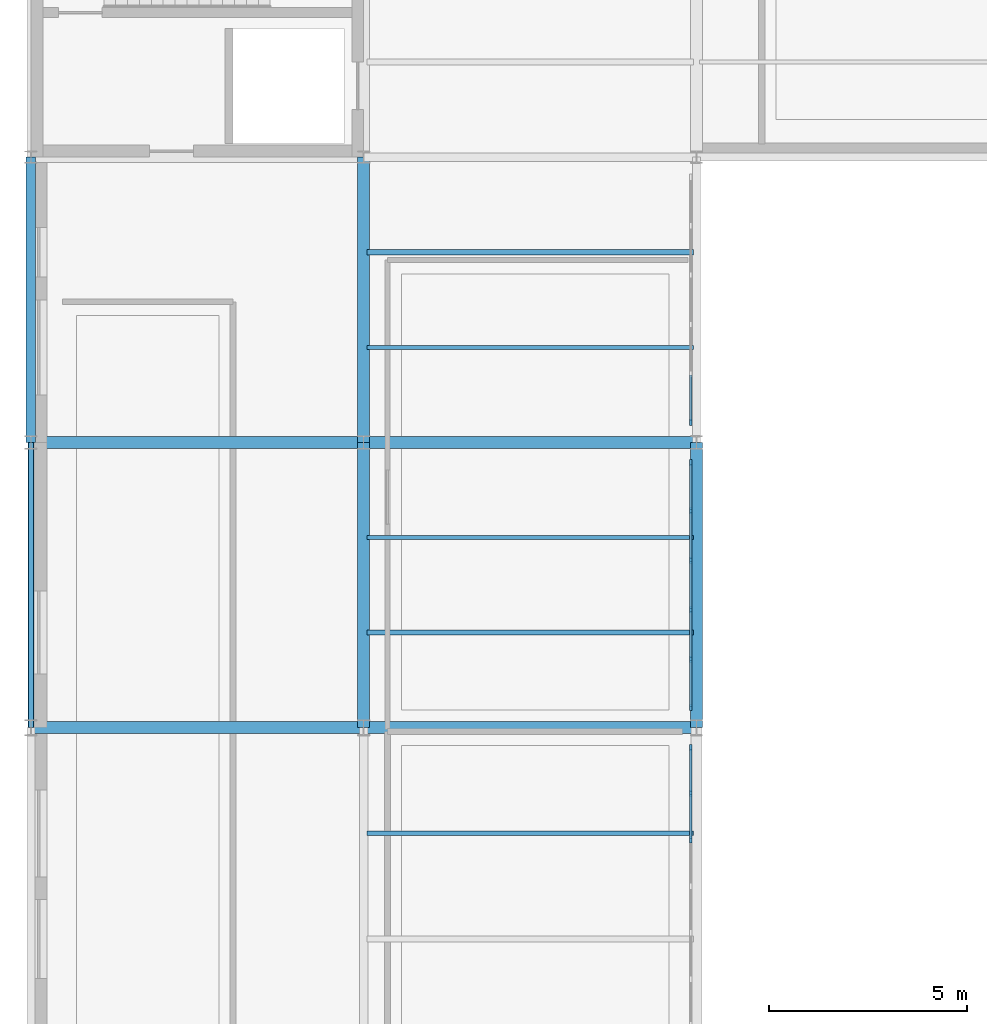
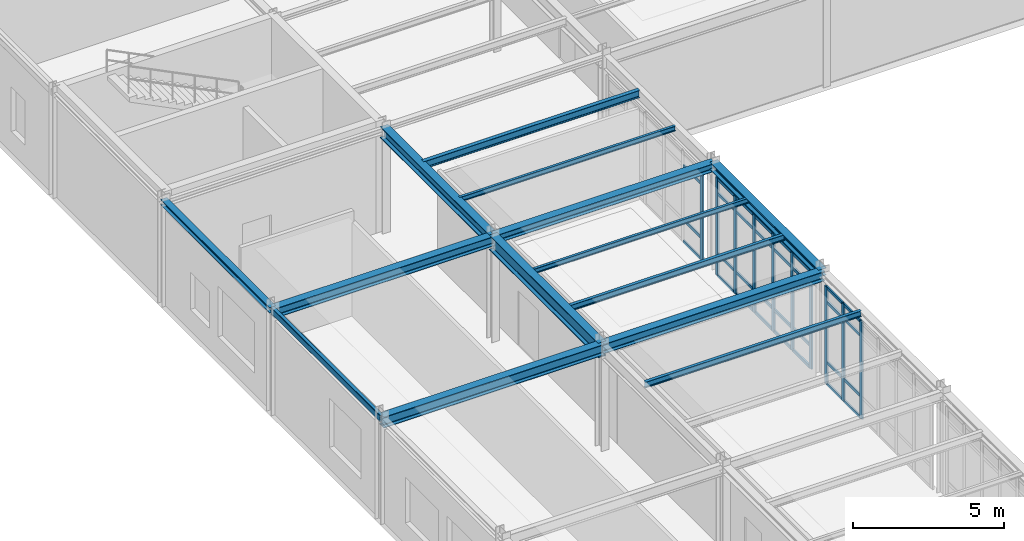
# One storey, part 46 of 106: 41 members, 14 beams, 3 elements without a shape of their own.
"""IFC4 building model written with IfcOpenShell, lengths in metres."""

import ifcopenshell
import ifcopenshell.guid

model = None  # the IFC model being written
_history = None  # IfcOwnerHistory: only IFC2X3 demands one
_inside = {}  # id of a spatial element -> (the spatial element, [elements in it])
_under = {}  # id of a project, library or spatial element -> (it, [spatial elements below it])
_declared = {}  # id of a project -> (the project, [libraries it declares])
_typed = {}  # id of a type object -> (the type object, [elements of that type])
_made_of = {}  # id of a material, layer set ... -> (it, [elements and type objects made of it])


def new_model(schema):
    """Start an empty IFC model of exactly this schema.

    Asked for "IFC4X3", IfcOpenShell would pick the latest addendum, in which some entities
    have other attributes; the version numbers below select the first issue.
    IFC2X3 requires an IfcOwnerHistory on every rooted entity: one is made here for all.
    """
    global model, _history
    if schema == "IFC4X3":
        model = ifcopenshell.file(schema_version=(4, 3, 0, 0))
    else:
        model = ifcopenshell.file(schema=schema)
    _inside.clear()
    _under.clear()
    _declared.clear()
    _typed.clear()
    _made_of.clear()
    _history = None
    if model.schema == "IFC2X3":
        org = make("IfcOrganization", Name="unknown")
        user = make(
            "IfcPersonAndOrganization",
            ThePerson=make("IfcPerson", FamilyName="unknown"),
            TheOrganization=org,
        )
        app = make(
            "IfcApplication",
            ApplicationDeveloper=org,
            Version="unknown",
            ApplicationFullName="unknown",
            ApplicationIdentifier="unknown",
        )
        _history = make(
            "IfcOwnerHistory",
            OwningUser=user,
            OwningApplication=app,
            ChangeAction="ADDED",
            CreationDate=0,
        )
    return model


def make(cls, **values):
    """One entity of the class cls with the attributes given. An attribute that is None is left unset."""
    return model.create_entity(
        cls, **{name: value for name, value in values.items() if value is not None}
    )


def rooted(cls, **values):
    """An entity with a GlobalId (a new one), such as an element, a storey or a relation."""
    return make(cls, GlobalId=ifcopenshell.guid.new(), OwnerHistory=_history, **values)


def si_unit(unit_type, name, prefix=None):
    """IfcSIUnit, for example si_unit("LENGTHUNIT", "METRE", prefix="MILLI")."""
    return make("IfcSIUnit", UnitType=unit_type, Prefix=prefix, Name=name)


def derived_unit(unit_type, elements):
    """IfcDerivedUnit: a product of units, each with its exponent."""
    return make(
        "IfcDerivedUnit",
        Elements=[
            make("IfcDerivedUnitElement", Unit=unit, Exponent=power)
            for unit, power in elements
        ],
        UnitType=unit_type,
    )


def assignment(units):
    """IfcUnitAssignment: the units of a project."""
    return None if units is None else make("IfcUnitAssignment", Units=units)


def point(xyz):
    """IfcCartesianPoint."""
    return None if xyz is None else make("IfcCartesianPoint", Coordinates=xyz)


def direction(xyz):
    """IfcDirection."""
    return None if xyz is None else make("IfcDirection", DirectionRatios=xyz)


def frame(location, z_axis=None, x_axis=None):
    """IfcAxis2Placement3D, a coordinate frame: its origin and axes. An axis left out is left unset."""
    return make(
        "IfcAxis2Placement3D",
        Location=point(location),
        Axis=direction(z_axis),
        RefDirection=direction(x_axis),
    )


def frame_2d(location, x_axis=None):
    """IfcAxis2Placement2D, a coordinate frame in the plane: its origin and x axis."""
    return make(
        "IfcAxis2Placement2D", Location=point(location), RefDirection=direction(x_axis)
    )


def origin():
    """The frame at (0, 0, 0) with its axes left unset."""
    return frame((0.0, 0.0, 0.0))


def origin_2d():
    """The frame at (0, 0) in the plane with its x axis left unset."""
    return frame_2d((0.0, 0.0))


def place(relative_to, where):
    """IfcLocalPlacement: puts the frame where relative to a parent placement (None: the world)."""
    return make(
        "IfcLocalPlacement", PlacementRelTo=relative_to, RelativePlacement=where
    )


def context(
    kind, dimensions, precision=None, world=None, true_north=None, identifier=None
):
    """IfcGeometricRepresentationContext, for example the 3D "Model" context."""
    return make(
        "IfcGeometricRepresentationContext",
        ContextIdentifier=identifier,
        ContextType=kind,
        CoordinateSpaceDimension=dimensions,
        Precision=precision,
        WorldCoordinateSystem=world,
        TrueNorth=true_north,
    )


def subcontext(parent, identifier, kind, view, scale=None):
    """IfcGeometricRepresentationSubContext, for example "Body" below "Model"."""
    return make(
        "IfcGeometricRepresentationSubContext",
        ContextIdentifier=identifier,
        ContextType=kind,
        ParentContext=parent,
        TargetScale=scale,
        TargetView=view,
    )


def project(units=None, contexts=None):
    """IfcProject with its units and contexts."""
    return rooted(
        "IfcProject",
        Name="project",
        RepresentationContexts=contexts,
        UnitsInContext=assignment(units),
    )


def spatial(cls, under=None, at=None, **own):
    """A site, building, storey or space (cls), placed at a placement, below another one or the project."""
    s = rooted(cls, ObjectPlacement=at, **own)
    if under is not None:
        _under.setdefault(under.id(), (under, []))[1].append(s)
    return s


def profile(cls, at=None, kind="AREA", **sizes):
    """A parametric profile (cls). Its sizes go by their IFC names, for example OverallWidth=200.0."""
    return make(cls, ProfileType=kind, Position=at, **sizes)


def rectangle(**sizes):
    """IfcRectangleProfileDef."""
    return profile("IfcRectangleProfileDef", **sizes)


def hollow_rectangle(**sizes):
    """IfcRectangleHollowProfileDef."""
    return profile("IfcRectangleHollowProfileDef", **sizes)


def i_section(**sizes):
    """IfcIShapeProfileDef."""
    return profile("IfcIShapeProfileDef", **sizes)


def extrude(swept, where, along, depth):
    """IfcExtrudedAreaSolid: the profile swept, set in the frame where, extruded along a direction by depth."""
    return make(
        "IfcExtrudedAreaSolid",
        SweptArea=swept,
        Position=where,
        ExtrudedDirection=direction(along),
        Depth=depth,
    )


def shape(context_of_items, identifier, shape_type, items):
    """IfcShapeRepresentation: the items that make up one representation, for example the "Body"."""
    return make(
        "IfcShapeRepresentation",
        ContextOfItems=context_of_items,
        RepresentationIdentifier=identifier,
        RepresentationType=shape_type,
        Items=items,
    )


def material(Name=None, Category=None):
    """IfcMaterial."""
    return make("IfcMaterial", Name=Name, Category=Category)


def layer(
    of_material, thickness, ventilated=None, Name=None, Category=None, Priority=None
):
    """IfcMaterialLayer: one layer of a wall or slab, of a material (None: an air gap)."""
    return make(
        "IfcMaterialLayer",
        Material=of_material,
        LayerThickness=thickness,
        IsVentilated=ventilated,
        Name=Name,
        Category=Category,
        Priority=Priority,
    )


def layer_set(layers, Name=None):
    """IfcMaterialLayerSet."""
    return make("IfcMaterialLayerSet", MaterialLayers=layers, LayerSetName=Name)


def material_profile(
    of_material, cross_section, Name=None, Category=None, Priority=None
):
    """IfcMaterialProfile: a cross section and its material."""
    return make(
        "IfcMaterialProfile",
        Name=Name,
        Material=of_material,
        Profile=cross_section,
        Priority=Priority,
        Category=Category,
    )


def profile_set(profiles, Name=None, composite=None):
    """IfcMaterialProfileSet."""
    return make(
        "IfcMaterialProfileSet",
        Name=Name,
        MaterialProfiles=profiles,
        CompositeProfile=composite,
    )


def made_of(thing, what):
    """Note that an element or type object is made of a material, layer set ...; save() writes the relation."""
    if what is not None:
        _made_of.setdefault(what.id(), (what, []))[1].append(thing)
    return thing


def type_object(cls, material=None, **own):
    """A type object (cls), such as IfcWallType, which elements share."""
    return made_of(rooted(cls, **own), material)


def element(
    cls,
    number,
    at=None,
    inside=None,
    cuts=None,
    type_object=None,
    material=None,
    context=None,
    identifier="Body",
    shape_type=None,
    held_by="IfcProductDefinitionShape",
    body=None,
    shapes=None,
    **own,
):
    """One element of the class cls, such as IfcWall. Its Tag is "e" and its number.

    at: its placement. inside: the storey or other place that contains it. cuts: it is an
    opening in that element (IfcRelVoidsElement). A single representation is given by context,
    identifier, shape_type and body (its items); several are given by shapes. held_by: the class
    of the entity that holds the representations. save() writes the other relations.
    """
    e = rooted(cls, Tag="e%d" % number, ObjectPlacement=at, **own)
    if body is not None:
        shapes = [shape(context, identifier, shape_type, body)]
    if shapes is not None:
        e.Representation = make(held_by, Representations=shapes)
    if inside is not None:
        _inside.setdefault(inside.id(), (inside, []))[1].append(e)
    if cuts is not None:
        rooted(
            "IfcRelVoidsElement", RelatingBuildingElement=cuts, RelatedOpeningElement=e
        )
    if type_object is not None:
        _typed.setdefault(type_object.id(), (type_object, []))[1].append(e)
    return made_of(e, material)


def aggregate(whole, parts):
    """IfcRelAggregates: a whole, such as a stair, and the parts it consists of."""
    return rooted("IfcRelAggregates", RelatingObject=whole, RelatedObjects=parts)


def save(model, path):
    """Write the relations noted so far, then the file.

    IfcRelAggregates (storeys below a building ...), IfcRelContainedInSpatialStructure (elements
    in a storey), IfcRelDefinesByType, IfcRelAssociatesMaterial and IfcRelDeclares: one each for
    every whole, place, type object, material and project.
    """
    for whole, parts in _under.values():
        aggregate(whole, parts)
    for where, things in _inside.values():
        rooted(
            "IfcRelContainedInSpatialStructure",
            RelatedElements=things,
            RelatingStructure=where,
        )
    for kind, things in _typed.values():
        rooted("IfcRelDefinesByType", RelatedObjects=things, RelatingType=kind)
    for what, things in _made_of.values():
        rooted("IfcRelAssociatesMaterial", RelatedObjects=things, RelatingMaterial=what)
    for by, libraries in _declared.values():
        rooted("IfcRelDeclares", RelatingContext=by, RelatedDefinitions=libraries)
    model.write(path)


model = new_model("IFC4")

# Units and contexts
model_context = context("Model", 3, precision=1e-05, world=origin(), true_north=direction((0.0, 1.0)))
body_context = subcontext(model_context, "Body", "Model", "MODEL_VIEW")
ifc_project = project(units=[si_unit("LENGTHUNIT", "METRE"), si_unit("AREAUNIT", "SQUARE_METRE"), si_unit("VOLUMEUNIT", "CUBIC_METRE"), si_unit("PLANEANGLEUNIT", "RADIAN"), si_unit("MASSUNIT", "GRAM", prefix="KILO"), derived_unit("THERMALTRANSMITTANCEUNIT", [(si_unit("POWERUNIT", "WATT"), 1), (si_unit("AREAUNIT", "SQUARE_METRE"), -1), (si_unit("THERMODYNAMICTEMPERATUREUNIT", "KELVIN"), -1)])], contexts=[model_context])

# Site, building, storey
site_placement = place(None, origin())
site = spatial("IfcSite", under=ifc_project, at=site_placement, CompositionType="ELEMENT")
building_placement = place(site_placement, origin())
building = spatial("IfcBuilding", under=site, at=building_placement, Name="Yasenodar Specialist Clinic", CompositionType="ELEMENT")
storey_placement = place(building_placement, frame((0.0, 0.0, 4.5)))
storey = spatial("IfcBuildingStorey", under=building, at=storey_placement, Name="L01", CompositionType="ELEMENT", Elevation=4.5)

# Beams
ifc_material_1 = material(Name="Steel S355", Category="steel")
ifc_material_profile_1 = material_profile(ifc_material_1, i_section(OverallWidth=0.300048828125, OverallDepth=0.2900390625, WebThickness=0.008544921875, FlangeThickness=0.013916015625, FilletRadius=0.027099609375, at=origin_2d()), Name="HEA 300")
ifc_profile_set_1 = profile_set([ifc_material_profile_1], Name="Steel S355")
beam_type_1 = type_object("IfcBeamType", Name="BM-HEA300", PredefinedType="BEAM", material=ifc_profile_set_1)
beam_1_placement = place(storey_placement, frame((16.800048828125, 82.800048828125, 4.10498046875), z_axis=(0.0, 1.0, 0.0), x_axis=(-1.0, 0.0, 0.0)))
element("IfcBeam", 1, at=beam_1_placement, inside=storey, type_object=beam_type_1, Name="L01 Primary N-S Girder", PredefinedType="BEAM", context=body_context, shape_type="SweptSolid", body=[
    extrude(i_section(OverallWidth=0.300048828125, OverallDepth=0.2900390625, WebThickness=0.008544921875, FlangeThickness=0.013916015625, FilletRadius=0.027099609375, at=origin_2d()), origin(), (0.0, 0.0, 1.0), 7.199951171875),
])
ifc_material_profile_2 = material_profile(ifc_material_1, i_section(OverallWidth=0.300048828125, OverallDepth=0.330078125, WebThickness=0.009521484375, FlangeThickness=0.0166015625, FilletRadius=0.027099609375, at=origin_2d()), Name="HEA 340")
ifc_profile_set_2 = profile_set([ifc_material_profile_2], Name="Steel S355")
beam_type_2 = type_object("IfcBeamType", Name="BM-HEA340", PredefinedType="BEAM", material=ifc_profile_set_2)
beam_2_placement = place(storey_placement, frame((8.39990234375, 90.0, 4.0849609375), z_axis=(1.0, 0.0, 0.0), x_axis=(0.0, 1.0, 0.0)))
element("IfcBeam", 2, at=beam_2_placement, inside=storey, type_object=beam_type_2, Name="L01 Primary E-W Girder", PredefinedType="BEAM", context=body_context, shape_type="SweptSolid", body=[
    extrude(i_section(OverallWidth=0.300048828125, OverallDepth=0.330078125, WebThickness=0.009521484375, FlangeThickness=0.0166015625, FilletRadius=0.027099609375, at=origin_2d()), origin(), (0.0, 0.0, 1.0), 8.400146484375),
])
ifc_material_profile_3 = material_profile(ifc_material_1, i_section(OverallWidth=0.300048828125, OverallDepth=0.389892578125, WebThickness=0.010986328125, FlangeThickness=0.01904296875, FilletRadius=0.027099609375, at=origin_2d()), Name="HEA 400")
ifc_profile_set_3 = profile_set([ifc_material_profile_3], Name="Steel S355")
beam_type_3 = type_object("IfcBeamType", Name="BM-HEA400", PredefinedType="BEAM", material=ifc_profile_set_3)
beam_3_placement = place(storey_placement, frame((8.39990234375, 82.800048828125, 4.054931640625), z_axis=(1.0, 0.0, 0.0), x_axis=(0.0, 1.0, 0.0)))
element("IfcBeam", 3, at=beam_3_placement, inside=storey, type_object=beam_type_3, Name="L01 Primary E-W Girder", PredefinedType="BEAM", context=body_context, shape_type="SweptSolid", body=[
    extrude(i_section(OverallWidth=0.300048828125, OverallDepth=0.389892578125, WebThickness=0.010986328125, FlangeThickness=0.01904296875, FilletRadius=0.027099609375, at=origin_2d()), origin(), (0.0, 0.0, 1.0), 8.400146484375),
])
beam_4_placement = place(storey_placement, frame((0.0, 90.0, 4.054931640625), z_axis=(1.0, 0.0, 0.0), x_axis=(0.0, 1.0, 0.0)))
element("IfcBeam", 4, at=beam_4_placement, inside=storey, type_object=beam_type_3, Name="L01 Primary E-W Girder", PredefinedType="BEAM", context=body_context, shape_type="SweptSolid", body=[
    extrude(i_section(OverallWidth=0.300048828125, OverallDepth=0.389892578125, WebThickness=0.010986328125, FlangeThickness=0.01904296875, FilletRadius=0.027099609375, at=origin_2d()), origin(), (0.0, 0.0, 1.0), 8.39990234375),
])
ifc_material_profile_4 = material_profile(ifc_material_1, i_section(OverallWidth=0.300048828125, OverallDepth=0.43994140625, WebThickness=0.011474609375, FlangeThickness=0.02099609375, FilletRadius=0.027099609375, at=origin_2d()), Name="HEA 450")
ifc_profile_set_4 = profile_set([ifc_material_profile_4], Name="Steel S355")
beam_type_4 = type_object("IfcBeamType", Name="BM-HEA450", PredefinedType="BEAM", material=ifc_profile_set_4)
beam_5_placement = place(storey_placement, frame((0.0, 82.800048828125, 4.030029296875), z_axis=(1.0, 0.0, 0.0), x_axis=(0.0, 1.0, 0.0)))
element("IfcBeam", 5, at=beam_5_placement, inside=storey, type_object=beam_type_4, Name="L01 Primary E-W Girder", PredefinedType="BEAM", context=body_context, shape_type="SweptSolid", body=[
    extrude(i_section(OverallWidth=0.300048828125, OverallDepth=0.43994140625, WebThickness=0.011474609375, FlangeThickness=0.02099609375, FilletRadius=0.027099609375, at=origin_2d()), origin(), (0.0, 0.0, 1.0), 8.39990234375),
])
ifc_material_profile_5 = material_profile(ifc_material_1, i_section(OverallWidth=0.300048828125, OverallDepth=0.449951171875, WebThickness=0.013916015625, FlangeThickness=0.02587890625, FilletRadius=0.027099609375, at=origin_2d()), Name="HEB 450")
ifc_profile_set_5 = profile_set([ifc_material_profile_5], Name="Steel S355")
beam_type_5 = type_object("IfcBeamType", Name="BM-HEB450", PredefinedType="BEAM", material=ifc_profile_set_5)
beam_6_placement = place(storey_placement, frame((8.39990234375, 90.0, 4.02490234375), z_axis=(0.0, 1.0, 0.0), x_axis=(-1.0, 0.0, 0.0)))
element("IfcBeam", 6, at=beam_6_placement, inside=storey, type_object=beam_type_5, Name="L01 Primary N-S Girder", PredefinedType="BEAM", context=body_context, shape_type="SweptSolid", body=[
    extrude(i_section(OverallWidth=0.300048828125, OverallDepth=0.449951171875, WebThickness=0.013916015625, FlangeThickness=0.02587890625, FilletRadius=0.027099609375, at=origin_2d()), origin(), (0.0, 0.0, 1.0), 7.199951171875),
])
ifc_material_profile_6 = material_profile(ifc_material_1, i_section(OverallWidth=0.300048828125, OverallDepth=0.60009765625, WebThickness=0.015380859375, FlangeThickness=0.030029296875, FilletRadius=0.027099609375, at=origin_2d()), Name="HEB 600")
ifc_profile_set_6 = profile_set([ifc_material_profile_6], Name="Steel S355")
beam_type_6 = type_object("IfcBeamType", Name="BM-HEB600", PredefinedType="BEAM", material=ifc_profile_set_6)
beam_7_placement = place(storey_placement, frame((8.39990234375, 82.800048828125, 3.949951171875), z_axis=(0.0, 1.0, 0.0), x_axis=(-1.0, 0.0, 0.0)))
element("IfcBeam", 7, at=beam_7_placement, inside=storey, type_object=beam_type_6, Name="L01 Primary N-S Girder", PredefinedType="BEAM", context=body_context, shape_type="SweptSolid", body=[
    extrude(i_section(OverallWidth=0.300048828125, OverallDepth=0.60009765625, WebThickness=0.015380859375, FlangeThickness=0.030029296875, FilletRadius=0.027099609375, at=origin_2d()), origin(), (0.0, 0.0, 1.0), 7.199951171875),
])

# Curtain wall, member
ifc_material_2 = material(Name="Bronze Anodized Aluminium and Triple Low-E Glass", Category="aluminium")
ifc_layer = layer(ifc_material_2, 0.202880859375)
ifc_layer_set = layer_set([ifc_layer], Name="Bronze Anodized Aluminium and Triple Low-E Glass")
curtain_wall_type = type_object("IfcCurtainWallType", Name="CW-SYS-04", PredefinedType="USERDEFINED", material=ifc_layer_set)
curtain_wall_1_placement = place(storey_placement, origin())
curtain_wall_1 = element("IfcCurtainWall", 8, at=curtain_wall_1_placement, inside=storey, type_object=curtain_wall_type, Name="L01 Unitised Curtain Wall 121", ObjectType="UNITISED CURTAIN WALL", PredefinedType="USERDEFINED")
ifc_material_3 = material(Name="Bronze Anodized Aluminium", Category="aluminium")
ifc_material_profile_7 = material_profile(ifc_material_3, rectangle(XDim=0.06005859375, YDim=0.159912109375, at=origin_2d()), Name="CW-MULL 60x160")
ifc_profile_set_7 = profile_set([ifc_material_profile_7], Name="Bronze Anodized Aluminium")
member_type_1 = type_object("IfcMemberType", Name="CW-MULL-160", PredefinedType="MULLION", material=ifc_profile_set_7)
member_1_placement = place(storey_placement, frame((16.64990234375, 90.510009765625, 0.0), z_axis=(0.0, 0.0, 1.0), x_axis=(1.0, 0.0, 0.0)))
member_1 = element("IfcMember", 9, at=member_1_placement, type_object=member_type_1, Name="CW-04 mullion 6", PredefinedType="MULLION", context=body_context, shape_type="SweptSolid", body=[
    extrude(rectangle(XDim=0.06005859375, YDim=0.159912109375, at=origin_2d()), origin(), (0.0, 0.0, 1.0), 3.677978515625),
])

# Curtain wall, members
curtain_wall_2_placement = place(storey_placement, origin())
curtain_wall_2 = element("IfcCurtainWall", 10, at=curtain_wall_2_placement, inside=storey, type_object=curtain_wall_type, Name="L01 Unitised Curtain Wall 122", ObjectType="UNITISED CURTAIN WALL", PredefinedType="USERDEFINED")
member_2_placement = place(storey_placement, frame((16.64990234375, 89.489990234375, 0.0), z_axis=(0.0, 0.0, 1.0), x_axis=(1.0, 0.0, 0.0)))
member_2 = element("IfcMember", 11, at=member_2_placement, type_object=member_type_1, Name="CW-04 mullion 1", PredefinedType="MULLION", context=body_context, shape_type="SweptSolid", body=[
    extrude(rectangle(XDim=0.06005859375, YDim=0.159912109375, at=origin_2d()), origin(), (0.0, 0.0, 1.0), 3.93798828125),
])
member_3_placement = place(storey_placement, frame((16.64990234375, 88.27197265625, 0.0), z_axis=(0.0, 0.0, 1.0), x_axis=(1.0, 0.0, 0.0)))
member_3 = element("IfcMember", 12, at=member_3_placement, type_object=member_type_1, Name="CW-04 mullion 2", PredefinedType="MULLION", context=body_context, shape_type="SweptSolid", body=[
    extrude(rectangle(XDim=0.06005859375, YDim=0.159912109375, at=origin_2d()), origin(), (0.0, 0.0, 1.0), 3.93798828125),
])
member_4_placement = place(storey_placement, frame((16.64990234375, 87.02392578125, 0.0), z_axis=(0.0, 0.0, 1.0), x_axis=(1.0, 0.0, 0.0)))
member_4 = element("IfcMember", 13, at=member_4_placement, type_object=member_type_1, Name="CW-04 mullion 3", PredefinedType="MULLION", context=body_context, shape_type="SweptSolid", body=[
    extrude(rectangle(XDim=0.06005859375, YDim=0.159912109375, at=origin_2d()), origin(), (0.0, 0.0, 1.0), 3.93798828125),
])
member_5_placement = place(storey_placement, frame((16.64990234375, 85.77587890625, 0.0), z_axis=(0.0, 0.0, 1.0), x_axis=(1.0, 0.0, 0.0)))
member_5 = element("IfcMember", 14, at=member_5_placement, type_object=member_type_1, Name="CW-04 mullion 4", PredefinedType="MULLION", context=body_context, shape_type="SweptSolid", body=[
    extrude(rectangle(XDim=0.06005859375, YDim=0.159912109375, at=origin_2d()), origin(), (0.0, 0.0, 1.0), 3.93798828125),
])
member_6_placement = place(storey_placement, frame((16.64990234375, 84.528076171875, 0.0), z_axis=(0.0, 0.0, 1.0), x_axis=(1.0, 0.0, 0.0)))
member_6 = element("IfcMember", 15, at=member_6_placement, type_object=member_type_1, Name="CW-04 mullion 5", PredefinedType="MULLION", context=body_context, shape_type="SweptSolid", body=[
    extrude(rectangle(XDim=0.06005859375, YDim=0.159912109375, at=origin_2d()), origin(), (0.0, 0.0, 1.0), 3.93798828125),
])
member_7_placement = place(storey_placement, frame((16.64990234375, 83.31005859375, 0.0), z_axis=(0.0, 0.0, 1.0), x_axis=(1.0, 0.0, 0.0)))
member_7 = element("IfcMember", 16, at=member_7_placement, type_object=member_type_1, Name="CW-04 mullion 6", PredefinedType="MULLION", context=body_context, shape_type="SweptSolid", body=[
    extrude(rectangle(XDim=0.06005859375, YDim=0.159912109375, at=origin_2d()), origin(), (0.0, 0.0, 1.0), 3.93798828125),
])

curtain_wall_3_placement = place(storey_placement, origin())
curtain_wall_3 = element("IfcCurtainWall", 17, at=curtain_wall_3_placement, inside=storey, type_object=curtain_wall_type, Name="L01 Unitised Curtain Wall 123", ObjectType="UNITISED CURTAIN WALL", PredefinedType="USERDEFINED")
member_8_placement = place(storey_placement, frame((16.64990234375, 82.2900390625, 0.0), z_axis=(0.0, 0.0, 1.0), x_axis=(1.0, 0.0, 0.0)))
member_8 = element("IfcMember", 18, at=member_8_placement, type_object=member_type_1, Name="CW-04 mullion 1", PredefinedType="MULLION", context=body_context, shape_type="SweptSolid", body=[
    extrude(rectangle(XDim=0.06005859375, YDim=0.159912109375, at=origin_2d()), origin(), (0.0, 0.0, 1.0), 3.927978515625),
])
member_9_placement = place(storey_placement, frame((16.64990234375, 81.146728515625, 0.0), z_axis=(0.0, 0.0, 1.0), x_axis=(1.0, 0.0, 0.0)))
member_9 = element("IfcMember", 19, at=member_9_placement, type_object=member_type_1, Name="CW-04 mullion 2", PredefinedType="MULLION", context=body_context, shape_type="SweptSolid", body=[
    extrude(rectangle(XDim=0.06005859375, YDim=0.159912109375, at=origin_2d()), origin(), (0.0, 0.0, 1.0), 3.927978515625),
])
member_10_placement = place(storey_placement, frame((16.64990234375, 79.973388671875, 0.0), z_axis=(0.0, 0.0, 1.0), x_axis=(1.0, 0.0, 0.0)))
member_10 = element("IfcMember", 20, at=member_10_placement, type_object=member_type_1, Name="CW-04 mullion 3", PredefinedType="MULLION", context=body_context, shape_type="SweptSolid", body=[
    extrude(rectangle(XDim=0.06005859375, YDim=0.159912109375, at=origin_2d()), origin(), (0.0, 0.0, 1.0), 3.927978515625),
])

# Member
ifc_material_profile_8 = material_profile(ifc_material_3, rectangle(XDim=0.06005859375, YDim=0.1201171875, at=origin_2d()), Name="CW-TRAN 60x120")
ifc_profile_set_8 = profile_set([ifc_material_profile_8], Name="Bronze Anodized Aluminium")
member_type_2 = type_object("IfcMemberType", Name="CW-TRAN-120", PredefinedType="USERDEFINED", material=ifc_profile_set_8)
member_11_placement = place(storey_placement, frame((16.64990234375, 91.697998046875, 0.030029296875), z_axis=(0.0, -1.0, 0.0), x_axis=(1.0, 0.0, 0.0)))
member_11 = element("IfcMember", 21, at=member_11_placement, type_object=member_type_2, Name="CW-04 transom 5.1", ObjectType="TRANSOM", PredefinedType="USERDEFINED", context=body_context, shape_type="SweptSolid", body=[
    extrude(rectangle(XDim=0.06005859375, YDim=0.1201171875, at=origin_2d()), origin(), (0.0, 0.0, 1.0), 1.157958984375),
])

member_12_placement = place(storey_placement, frame((16.64990234375, 91.697998046875, 0.89990234375), z_axis=(0.0, -1.0, 0.0), x_axis=(1.0, 0.0, 0.0)))
member_12 = element("IfcMember", 22, at=member_12_placement, type_object=member_type_2, Name="CW-04 transom 5.2", ObjectType="TRANSOM", PredefinedType="USERDEFINED", context=body_context, shape_type="SweptSolid", body=[
    extrude(rectangle(XDim=0.06005859375, YDim=0.1201171875, at=origin_2d()), origin(), (0.0, 0.0, 1.0), 1.157958984375),
])

member_13_placement = place(storey_placement, frame((16.64990234375, 91.697998046875, 3.077880859375), z_axis=(0.0, -1.0, 0.0), x_axis=(1.0, 0.0, 0.0)))
member_13 = element("IfcMember", 23, at=member_13_placement, type_object=member_type_2, Name="CW-04 transom 5.3", ObjectType="TRANSOM", PredefinedType="USERDEFINED", context=body_context, shape_type="SweptSolid", body=[
    extrude(rectangle(XDim=0.06005859375, YDim=0.1201171875, at=origin_2d()), origin(), (0.0, 0.0, 1.0), 1.157958984375),
])

aggregate(curtain_wall_1, [member_1, member_11, member_12, member_13])

member_14_placement = place(storey_placement, frame((16.64990234375, 89.4599609375, 0.030029296875), z_axis=(0.0, -1.0, 0.0), x_axis=(1.0, 0.0, 0.0)))
member_14 = element("IfcMember", 24, at=member_14_placement, type_object=member_type_2, Name="CW-04 transom 1.1", ObjectType="TRANSOM", PredefinedType="USERDEFINED", context=body_context, shape_type="SweptSolid", body=[
    extrude(rectangle(XDim=0.06005859375, YDim=0.1201171875, at=origin_2d()), origin(), (0.0, 0.0, 1.0), 1.157958984375),
])

member_15_placement = place(storey_placement, frame((16.64990234375, 89.4599609375, 0.89990234375), z_axis=(0.0, -1.0, 0.0), x_axis=(1.0, 0.0, 0.0)))
member_15 = element("IfcMember", 25, at=member_15_placement, type_object=member_type_2, Name="CW-04 transom 1.2", ObjectType="TRANSOM", PredefinedType="USERDEFINED", context=body_context, shape_type="SweptSolid", body=[
    extrude(rectangle(XDim=0.06005859375, YDim=0.1201171875, at=origin_2d()), origin(), (0.0, 0.0, 1.0), 1.157958984375),
])

member_16_placement = place(storey_placement, frame((16.64990234375, 89.4599609375, 3.337890625), z_axis=(0.0, -1.0, 0.0), x_axis=(1.0, 0.0, 0.0)))
member_16 = element("IfcMember", 26, at=member_16_placement, type_object=member_type_2, Name="CW-04 transom 1.3", ObjectType="TRANSOM", PredefinedType="USERDEFINED", context=body_context, shape_type="SweptSolid", body=[
    extrude(rectangle(XDim=0.06005859375, YDim=0.1201171875, at=origin_2d()), origin(), (0.0, 0.0, 1.0), 1.157958984375),
])

member_17_placement = place(storey_placement, frame((16.64990234375, 89.4599609375, 3.907958984375), z_axis=(0.0, -1.0, 0.0), x_axis=(1.0, 0.0, 0.0)))
member_17 = element("IfcMember", 27, at=member_17_placement, type_object=member_type_2, Name="CW-04 transom 1.4", ObjectType="TRANSOM", PredefinedType="USERDEFINED", context=body_context, shape_type="SweptSolid", body=[
    extrude(rectangle(XDim=0.06005859375, YDim=0.1201171875, at=origin_2d()), origin(), (0.0, 0.0, 1.0), 1.157958984375),
])

member_18_placement = place(storey_placement, frame((16.64990234375, 88.241943359375, 0.030029296875), z_axis=(0.0, -1.0, 0.0), x_axis=(1.0, 0.0, 0.0)))
member_18 = element("IfcMember", 28, at=member_18_placement, type_object=member_type_2, Name="CW-04 transom 2.1", ObjectType="TRANSOM", PredefinedType="USERDEFINED", context=body_context, shape_type="SweptSolid", body=[
    extrude(rectangle(XDim=0.06005859375, YDim=0.1201171875, at=origin_2d()), origin(), (0.0, 0.0, 1.0), 1.18798828125),
])

member_19_placement = place(storey_placement, frame((16.64990234375, 88.241943359375, 0.89990234375), z_axis=(0.0, -1.0, 0.0), x_axis=(1.0, 0.0, 0.0)))
member_19 = element("IfcMember", 29, at=member_19_placement, type_object=member_type_2, Name="CW-04 transom 2.2", ObjectType="TRANSOM", PredefinedType="USERDEFINED", context=body_context, shape_type="SweptSolid", body=[
    extrude(rectangle(XDim=0.06005859375, YDim=0.1201171875, at=origin_2d()), origin(), (0.0, 0.0, 1.0), 1.18798828125),
])

member_20_placement = place(storey_placement, frame((16.64990234375, 88.241943359375, 3.337890625), z_axis=(0.0, -1.0, 0.0), x_axis=(1.0, 0.0, 0.0)))
member_20 = element("IfcMember", 30, at=member_20_placement, type_object=member_type_2, Name="CW-04 transom 2.3", ObjectType="TRANSOM", PredefinedType="USERDEFINED", context=body_context, shape_type="SweptSolid", body=[
    extrude(rectangle(XDim=0.06005859375, YDim=0.1201171875, at=origin_2d()), origin(), (0.0, 0.0, 1.0), 1.18798828125),
])

member_21_placement = place(storey_placement, frame((16.64990234375, 88.241943359375, 3.907958984375), z_axis=(0.0, -1.0, 0.0), x_axis=(1.0, 0.0, 0.0)))
member_21 = element("IfcMember", 31, at=member_21_placement, type_object=member_type_2, Name="CW-04 transom 2.4", ObjectType="TRANSOM", PredefinedType="USERDEFINED", context=body_context, shape_type="SweptSolid", body=[
    extrude(rectangle(XDim=0.06005859375, YDim=0.1201171875, at=origin_2d()), origin(), (0.0, 0.0, 1.0), 1.18798828125),
])

member_22_placement = place(storey_placement, frame((16.64990234375, 86.993896484375, 0.030029296875), z_axis=(0.0, -1.0, 0.0), x_axis=(1.0, 0.0, 0.0)))
member_22 = element("IfcMember", 32, at=member_22_placement, type_object=member_type_2, Name="CW-04 transom 3.1", ObjectType="TRANSOM", PredefinedType="USERDEFINED", context=body_context, shape_type="SweptSolid", body=[
    extrude(rectangle(XDim=0.06005859375, YDim=0.1201171875, at=origin_2d()), origin(), (0.0, 0.0, 1.0), 1.18798828125),
])

member_23_placement = place(storey_placement, frame((16.64990234375, 86.993896484375, 0.89990234375), z_axis=(0.0, -1.0, 0.0), x_axis=(1.0, 0.0, 0.0)))
member_23 = element("IfcMember", 33, at=member_23_placement, type_object=member_type_2, Name="CW-04 transom 3.2", ObjectType="TRANSOM", PredefinedType="USERDEFINED", context=body_context, shape_type="SweptSolid", body=[
    extrude(rectangle(XDim=0.06005859375, YDim=0.1201171875, at=origin_2d()), origin(), (0.0, 0.0, 1.0), 1.18798828125),
])

member_24_placement = place(storey_placement, frame((16.64990234375, 86.993896484375, 3.337890625), z_axis=(0.0, -1.0, 0.0), x_axis=(1.0, 0.0, 0.0)))
member_24 = element("IfcMember", 34, at=member_24_placement, type_object=member_type_2, Name="CW-04 transom 3.3", ObjectType="TRANSOM", PredefinedType="USERDEFINED", context=body_context, shape_type="SweptSolid", body=[
    extrude(rectangle(XDim=0.06005859375, YDim=0.1201171875, at=origin_2d()), origin(), (0.0, 0.0, 1.0), 1.18798828125),
])

member_25_placement = place(storey_placement, frame((16.64990234375, 86.993896484375, 3.907958984375), z_axis=(0.0, -1.0, 0.0), x_axis=(1.0, 0.0, 0.0)))
member_25 = element("IfcMember", 35, at=member_25_placement, type_object=member_type_2, Name="CW-04 transom 3.4", ObjectType="TRANSOM", PredefinedType="USERDEFINED", context=body_context, shape_type="SweptSolid", body=[
    extrude(rectangle(XDim=0.06005859375, YDim=0.1201171875, at=origin_2d()), origin(), (0.0, 0.0, 1.0), 1.18798828125),
])

member_26_placement = place(storey_placement, frame((16.64990234375, 85.74609375, 0.030029296875), z_axis=(0.0, -1.0, 0.0), x_axis=(1.0, 0.0, 0.0)))
member_26 = element("IfcMember", 36, at=member_26_placement, type_object=member_type_2, Name="CW-04 transom 4.1", ObjectType="TRANSOM", PredefinedType="USERDEFINED", context=body_context, shape_type="SweptSolid", body=[
    extrude(rectangle(XDim=0.06005859375, YDim=0.1201171875, at=origin_2d()), origin(), (0.0, 0.0, 1.0), 1.18798828125),
])

member_27_placement = place(storey_placement, frame((16.64990234375, 85.74609375, 0.89990234375), z_axis=(0.0, -1.0, 0.0), x_axis=(1.0, 0.0, 0.0)))
member_27 = element("IfcMember", 37, at=member_27_placement, type_object=member_type_2, Name="CW-04 transom 4.2", ObjectType="TRANSOM", PredefinedType="USERDEFINED", context=body_context, shape_type="SweptSolid", body=[
    extrude(rectangle(XDim=0.06005859375, YDim=0.1201171875, at=origin_2d()), origin(), (0.0, 0.0, 1.0), 1.18798828125),
])

member_28_placement = place(storey_placement, frame((16.64990234375, 85.74609375, 3.337890625), z_axis=(0.0, -1.0, 0.0), x_axis=(1.0, 0.0, 0.0)))
member_28 = element("IfcMember", 38, at=member_28_placement, type_object=member_type_2, Name="CW-04 transom 4.3", ObjectType="TRANSOM", PredefinedType="USERDEFINED", context=body_context, shape_type="SweptSolid", body=[
    extrude(rectangle(XDim=0.06005859375, YDim=0.1201171875, at=origin_2d()), origin(), (0.0, 0.0, 1.0), 1.18798828125),
])

member_29_placement = place(storey_placement, frame((16.64990234375, 85.74609375, 3.907958984375), z_axis=(0.0, -1.0, 0.0), x_axis=(1.0, 0.0, 0.0)))
member_29 = element("IfcMember", 39, at=member_29_placement, type_object=member_type_2, Name="CW-04 transom 4.4", ObjectType="TRANSOM", PredefinedType="USERDEFINED", context=body_context, shape_type="SweptSolid", body=[
    extrude(rectangle(XDim=0.06005859375, YDim=0.1201171875, at=origin_2d()), origin(), (0.0, 0.0, 1.0), 1.18798828125),
])

member_30_placement = place(storey_placement, frame((16.64990234375, 84.498046875, 0.030029296875), z_axis=(0.0, -1.0, 0.0), x_axis=(1.0, 0.0, 0.0)))
member_30 = element("IfcMember", 40, at=member_30_placement, type_object=member_type_2, Name="CW-04 transom 5.1", ObjectType="TRANSOM", PredefinedType="USERDEFINED", context=body_context, shape_type="SweptSolid", body=[
    extrude(rectangle(XDim=0.06005859375, YDim=0.1201171875, at=origin_2d()), origin(), (0.0, 0.0, 1.0), 1.157958984375),
])

member_31_placement = place(storey_placement, frame((16.64990234375, 84.498046875, 0.89990234375), z_axis=(0.0, -1.0, 0.0), x_axis=(1.0, 0.0, 0.0)))
member_31 = element("IfcMember", 41, at=member_31_placement, type_object=member_type_2, Name="CW-04 transom 5.2", ObjectType="TRANSOM", PredefinedType="USERDEFINED", context=body_context, shape_type="SweptSolid", body=[
    extrude(rectangle(XDim=0.06005859375, YDim=0.1201171875, at=origin_2d()), origin(), (0.0, 0.0, 1.0), 1.157958984375),
])

member_32_placement = place(storey_placement, frame((16.64990234375, 84.498046875, 3.337890625), z_axis=(0.0, -1.0, 0.0), x_axis=(1.0, 0.0, 0.0)))
member_32 = element("IfcMember", 42, at=member_32_placement, type_object=member_type_2, Name="CW-04 transom 5.3", ObjectType="TRANSOM", PredefinedType="USERDEFINED", context=body_context, shape_type="SweptSolid", body=[
    extrude(rectangle(XDim=0.06005859375, YDim=0.1201171875, at=origin_2d()), origin(), (0.0, 0.0, 1.0), 1.157958984375),
])

member_33_placement = place(storey_placement, frame((16.64990234375, 84.498046875, 3.907958984375), z_axis=(0.0, -1.0, 0.0), x_axis=(1.0, 0.0, 0.0)))
member_33 = element("IfcMember", 43, at=member_33_placement, type_object=member_type_2, Name="CW-04 transom 5.4", ObjectType="TRANSOM", PredefinedType="USERDEFINED", context=body_context, shape_type="SweptSolid", body=[
    extrude(rectangle(XDim=0.06005859375, YDim=0.1201171875, at=origin_2d()), origin(), (0.0, 0.0, 1.0), 1.157958984375),
])

aggregate(curtain_wall_2, [member_2, member_3, member_4, member_5, member_6, member_7, member_14, member_15, member_16, member_17, member_18, member_19, member_20, member_21, member_22, member_23, member_24, member_25, member_26, member_27, member_28, member_29, member_30, member_31, member_32, member_33])

member_34_placement = place(storey_placement, frame((16.64990234375, 82.260009765625, 0.030029296875), z_axis=(0.0, -1.0, 0.0), x_axis=(1.0, 0.0, 0.0)))
member_34 = element("IfcMember", 44, at=member_34_placement, type_object=member_type_2, Name="CW-04 transom 1.1", ObjectType="TRANSOM", PredefinedType="USERDEFINED", context=body_context, shape_type="SweptSolid", body=[
    extrude(rectangle(XDim=0.06005859375, YDim=0.1201171875, at=origin_2d()), origin(), (0.0, 0.0, 1.0), 1.083251953125),
])

member_35_placement = place(storey_placement, frame((16.64990234375, 82.260009765625, 0.89990234375), z_axis=(0.0, -1.0, 0.0), x_axis=(1.0, 0.0, 0.0)))
member_35 = element("IfcMember", 45, at=member_35_placement, type_object=member_type_2, Name="CW-04 transom 1.2", ObjectType="TRANSOM", PredefinedType="USERDEFINED", context=body_context, shape_type="SweptSolid", body=[
    extrude(rectangle(XDim=0.06005859375, YDim=0.1201171875, at=origin_2d()), origin(), (0.0, 0.0, 1.0), 1.083251953125),
])

member_36_placement = place(storey_placement, frame((16.64990234375, 82.260009765625, 3.327880859375), z_axis=(0.0, -1.0, 0.0), x_axis=(1.0, 0.0, 0.0)))
member_36 = element("IfcMember", 46, at=member_36_placement, type_object=member_type_2, Name="CW-04 transom 1.3", ObjectType="TRANSOM", PredefinedType="USERDEFINED", context=body_context, shape_type="SweptSolid", body=[
    extrude(rectangle(XDim=0.06005859375, YDim=0.1201171875, at=origin_2d()), origin(), (0.0, 0.0, 1.0), 1.083251953125),
])

member_37_placement = place(storey_placement, frame((16.64990234375, 82.260009765625, 3.89794921875), z_axis=(0.0, -1.0, 0.0), x_axis=(1.0, 0.0, 0.0)))
member_37 = element("IfcMember", 47, at=member_37_placement, type_object=member_type_2, Name="CW-04 transom 1.4", ObjectType="TRANSOM", PredefinedType="USERDEFINED", context=body_context, shape_type="SweptSolid", body=[
    extrude(rectangle(XDim=0.06005859375, YDim=0.1201171875, at=origin_2d()), origin(), (0.0, 0.0, 1.0), 1.083251953125),
])

member_38_placement = place(storey_placement, frame((16.64990234375, 81.11669921875, 0.030029296875), z_axis=(0.0, -1.0, 0.0), x_axis=(1.0, 0.0, 0.0)))
member_38 = element("IfcMember", 48, at=member_38_placement, type_object=member_type_2, Name="CW-04 transom 2.1", ObjectType="TRANSOM", PredefinedType="USERDEFINED", context=body_context, shape_type="SweptSolid", body=[
    extrude(rectangle(XDim=0.06005859375, YDim=0.1201171875, at=origin_2d()), origin(), (0.0, 0.0, 1.0), 1.11328125),
])

member_39_placement = place(storey_placement, frame((16.64990234375, 81.11669921875, 0.89990234375), z_axis=(0.0, -1.0, 0.0), x_axis=(1.0, 0.0, 0.0)))
member_39 = element("IfcMember", 49, at=member_39_placement, type_object=member_type_2, Name="CW-04 transom 2.2", ObjectType="TRANSOM", PredefinedType="USERDEFINED", context=body_context, shape_type="SweptSolid", body=[
    extrude(rectangle(XDim=0.06005859375, YDim=0.1201171875, at=origin_2d()), origin(), (0.0, 0.0, 1.0), 1.11328125),
])

member_40_placement = place(storey_placement, frame((16.64990234375, 81.11669921875, 3.327880859375), z_axis=(0.0, -1.0, 0.0), x_axis=(1.0, 0.0, 0.0)))
member_40 = element("IfcMember", 50, at=member_40_placement, type_object=member_type_2, Name="CW-04 transom 2.3", ObjectType="TRANSOM", PredefinedType="USERDEFINED", context=body_context, shape_type="SweptSolid", body=[
    extrude(rectangle(XDim=0.06005859375, YDim=0.1201171875, at=origin_2d()), origin(), (0.0, 0.0, 1.0), 1.11328125),
])

member_41_placement = place(storey_placement, frame((16.64990234375, 81.11669921875, 3.89794921875), z_axis=(0.0, -1.0, 0.0), x_axis=(1.0, 0.0, 0.0)))
member_41 = element("IfcMember", 51, at=member_41_placement, type_object=member_type_2, Name="CW-04 transom 2.4", ObjectType="TRANSOM", PredefinedType="USERDEFINED", context=body_context, shape_type="SweptSolid", body=[
    extrude(rectangle(XDim=0.06005859375, YDim=0.1201171875, at=origin_2d()), origin(), (0.0, 0.0, 1.0), 1.11328125),
])

aggregate(curtain_wall_3, [member_8, member_9, member_10, member_34, member_35, member_36, member_37, member_38, member_39, member_40, member_41])

# Beams
ifc_material_profile_9 = material_profile(ifc_material_1, i_section(OverallWidth=0.10009765625, OverallDepth=0.199951171875, WebThickness=0.005615234375, FlangeThickness=0.008544921875, FilletRadius=0.011962890625, at=origin_2d()), Name="IPE 200")
ifc_profile_set_9 = profile_set([ifc_material_profile_9], Name="Steel S355")
beam_type_7 = type_object("IfcBeamType", Name="JS-IPE200", PredefinedType="JOIST", material=ifc_profile_set_9)
for number, where, z_axis, x_axis, name in (
    (52, (8.47998046875, 87.60009765625, 4.14990234375), (1.0, 0.0, 0.0), (0.0, 1.0, 0.0), "L01 Composite Floor Joist"),
    (53, (8.47998046875, 92.39990234375, 4.14990234375), (1.0, 0.0, 0.0), (0.0, 1.0, 0.0), "L01 Composite Floor Joist"),
):
    element("IfcBeam", number, at=place(storey_placement, frame(where, z_axis=z_axis, x_axis=x_axis)), inside=storey, type_object=beam_type_7, Name=name, PredefinedType="JOIST", context=body_context, shape_type="SweptSolid", body=[
        extrude(i_section(OverallWidth=0.10009765625, OverallDepth=0.199951171875, WebThickness=0.005615234375, FlangeThickness=0.008544921875, FilletRadius=0.011962890625, at=origin_2d()), origin(), (0.0, 0.0, 1.0), 8.239990234375),
    ])
ifc_material_profile_10 = material_profile(ifc_material_1, i_section(OverallWidth=0.1201171875, OverallDepth=0.239990234375, WebThickness=0.006103515625, FlangeThickness=0.009765625, FilletRadius=0.014892578125, at=origin_2d()), Name="IPE 240")
ifc_profile_set_10 = profile_set([ifc_material_profile_10], Name="Steel S355")
beam_type_8 = type_object("IfcBeamType", Name="JS-IPE240", PredefinedType="JOIST", material=ifc_profile_set_10)
for number, where, z_axis, x_axis, name in (
    (54, (8.47998046875, 80.13330078125, 4.1298828125), (1.0, 0.0, 0.0), (0.0, 1.0, 0.0), "L01 Composite Floor Joist"),
    (55, (8.47998046875, 85.199951171875, 4.1298828125), (1.0, 0.0, 0.0), (0.0, 1.0, 0.0), "L01 Composite Floor Joist"),
):
    element("IfcBeam", number, at=place(storey_placement, frame(where, z_axis=z_axis, x_axis=x_axis)), inside=storey, type_object=beam_type_8, Name=name, PredefinedType="JOIST", context=body_context, shape_type="SweptSolid", body=[
        extrude(i_section(OverallWidth=0.1201171875, OverallDepth=0.239990234375, WebThickness=0.006103515625, FlangeThickness=0.009765625, FilletRadius=0.014892578125, at=origin_2d()), origin(), (0.0, 0.0, 1.0), 8.239990234375),
    ])
ifc_material_profile_11 = material_profile(ifc_material_1, i_section(OverallWidth=0.14990234375, OverallDepth=0.300048828125, WebThickness=0.007080078125, FlangeThickness=0.0107421875, FilletRadius=0.014892578125, at=origin_2d()), Name="IPE 300")
ifc_profile_set_11 = profile_set([ifc_material_profile_11], Name="Steel S355")
beam_type_9 = type_object("IfcBeamType", Name="JS-IPE300", PredefinedType="JOIST", material=ifc_profile_set_11)
beam_8_placement = place(storey_placement, frame((8.47998046875, 94.800048828125, 4.10009765625), z_axis=(1.0, 0.0, 0.0), x_axis=(0.0, 1.0, 0.0)))
element("IfcBeam", 56, at=beam_8_placement, inside=storey, type_object=beam_type_9, Name="L01 Composite Floor Joist", PredefinedType="JOIST", context=body_context, shape_type="SweptSolid", body=[
    extrude(i_section(OverallWidth=0.14990234375, OverallDepth=0.300048828125, WebThickness=0.007080078125, FlangeThickness=0.0107421875, FilletRadius=0.014892578125, at=origin_2d()), origin(), (0.0, 0.0, 1.0), 8.239990234375),
])
ifc_material_profile_12 = material_profile(ifc_material_1, i_section(OverallWidth=0.239990234375, OverallDepth=0.22998046875, WebThickness=0.007568359375, FlangeThickness=0.011962890625, FilletRadius=0.02099609375, at=origin_2d()), Name="HEA 240")
ifc_profile_set_12 = profile_set([ifc_material_profile_12], Name="Steel S355")
beam_type_10 = type_object("IfcBeamType", Name="SP-HEA240", PredefinedType="SPANDREL", material=ifc_profile_set_12)
beam_9_placement = place(storey_placement, frame((0.0, 90.0, 4.135009765625), z_axis=(0.0, 1.0, 0.0), x_axis=(-1.0, 0.0, 0.0)))
element("IfcBeam", 57, at=beam_9_placement, inside=storey, type_object=beam_type_10, Name="L01 Perimeter Spandrel Beam", PredefinedType="SPANDREL", context=body_context, shape_type="SweptSolid", body=[
    extrude(i_section(OverallWidth=0.239990234375, OverallDepth=0.22998046875, WebThickness=0.007568359375, FlangeThickness=0.011962890625, FilletRadius=0.02099609375, at=origin_2d()), origin(), (0.0, 0.0, 1.0), 7.199951171875),
])
ifc_material_profile_13 = material_profile(ifc_material_1, hollow_rectangle(XDim=0.14990234375, YDim=0.25, WallThickness=0.010009765625, InnerFilletRadius=0.014892578125, OuterFilletRadius=0.02490234375, at=origin_2d()), Name="RHS 250x150x10")
ifc_profile_set_13 = profile_set([ifc_material_profile_13], Name="Steel S355")
beam_type_11 = type_object("IfcBeamType", Name="SP-RHS250", PredefinedType="SPANDREL", material=ifc_profile_set_13)
beam_10_placement = place(storey_placement, frame((0.0, 82.800048828125, 4.125), z_axis=(0.0, 1.0, 0.0), x_axis=(-1.0, 0.0, 0.0)))
element("IfcBeam", 58, at=beam_10_placement, inside=storey, type_object=beam_type_11, Name="L01 Perimeter Spandrel Beam", PredefinedType="SPANDREL", context=body_context, shape_type="SweptSolid", body=[
    extrude(hollow_rectangle(XDim=0.14990234375, YDim=0.25, WallThickness=0.010009765625, InnerFilletRadius=0.014892578125, OuterFilletRadius=0.02490234375, at=origin_2d()), origin(), (0.0, 0.0, 1.0), 7.199951171875),
])

save(model, "model.ifc")
